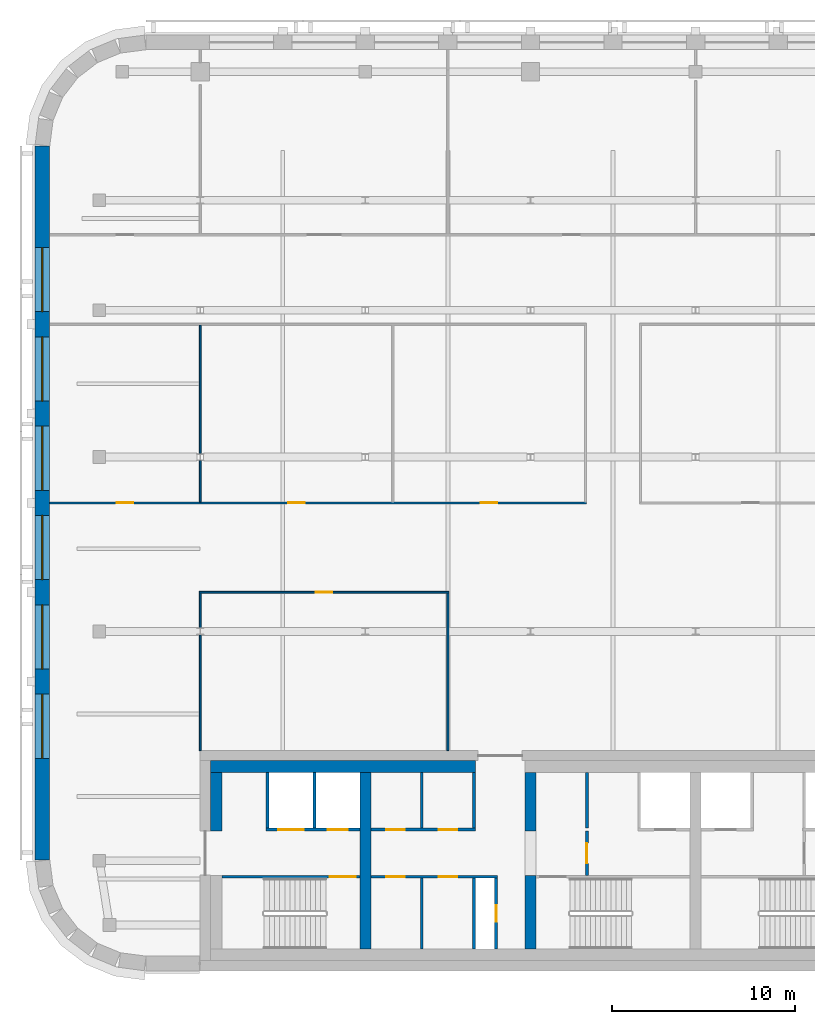
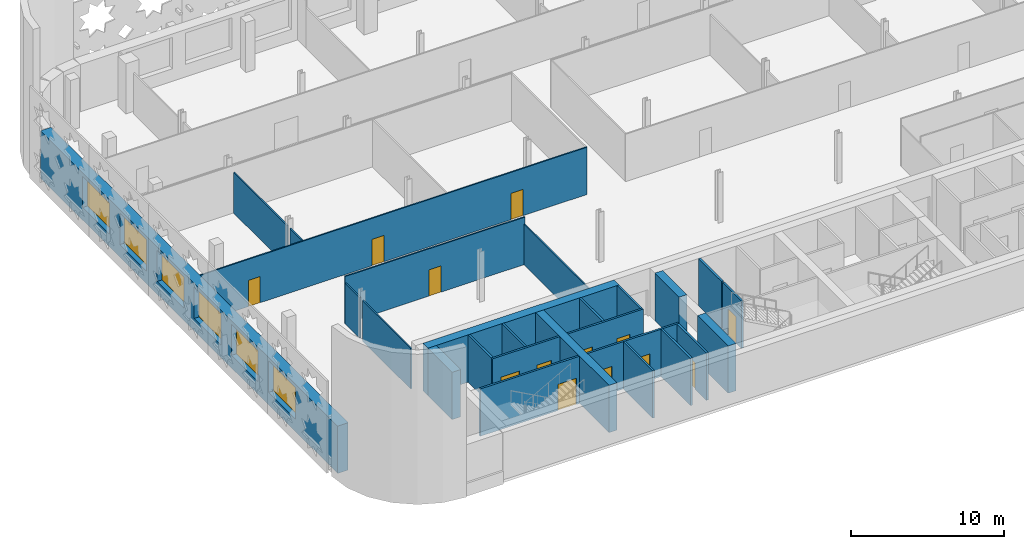
# One storey, part 6 of 16: 26 walls, 13 doors, 6 windows, 19 openings.
"""IFC4 building model written with IfcOpenShell, lengths in metres."""

from ifc_helpers import new_model, si_unit, direction, frame, frame_2d, origin, place, context, subcontext, project, spatial, rectangle, extrude, material, layer, layer_set, type_object, element, fill, save


model = new_model("IFC4")

# Units and contexts
model_context = context("Model", 3, precision=1e-05, world=origin(), true_north=direction((0.0, 1.0)))
body_context = subcontext(model_context, "Body", "Model", "MODEL_VIEW")
ifc_project = project(units=[si_unit("LENGTHUNIT", "METRE"), si_unit("AREAUNIT", "SQUARE_METRE"), si_unit("VOLUMEUNIT", "CUBIC_METRE"), si_unit("PLANEANGLEUNIT", "RADIAN"), si_unit("MASSUNIT", "GRAM", prefix="KILO")], contexts=[model_context])

# Site, building, storey
site_placement = place(None, origin())
site = spatial("IfcSite", under=ifc_project, at=site_placement, CompositionType="ELEMENT")
building_placement = place(site_placement, origin())
building = spatial("IfcBuilding", under=site, at=building_placement, Name="Zellij Exchange Tower", CompositionType="ELEMENT")
storey_placement = place(building_placement, frame((0.0, 0.0, 272.5)))
storey = spatial("IfcBuildingStorey", under=building, at=storey_placement, Name="L64", CompositionType="ELEMENT", Elevation=272.5)

# Walls
ifc_material_1 = material(Name="Concrete C50/60", Category="concrete")
ifc_layer_1 = layer(ifc_material_1, 0.60009765625)
ifc_layer_set_1 = layer_set([ifc_layer_1], Name="Concrete C50/60")
wall_type_1 = type_object("IfcWallType", Name="CORE-CW 600 C50/60", PredefinedType="SHEAR", material=ifc_layer_set_1)
wall_1_placement = place(storey_placement, frame((-18.0, -12.800048828125, 0.0), z_axis=(0.0, 0.0, 1.0), x_axis=(0.0, 1.0, 0.0)))
element("IfcWall", 1, at=wall_1_placement, inside=storey, type_object=wall_type_1, Name="Core cross wall x -18 L64", PredefinedType="SHEAR", context=body_context, shape_type="SweptSolid", body=[
    extrude(rectangle(XDim=9.60009765625, YDim=0.60009765625, at=frame_2d((4.800048828125, 0.0))), origin(), (0.0, 0.0, 1.0), 3.780029296875),
])
wall_2_placement = place(storey_placement, frame((-9.0, -12.800048828125, 0.0), z_axis=(0.0, 0.0, 1.0), x_axis=(0.0, 1.0, 0.0)))
element("IfcWall", 2, at=wall_2_placement, inside=storey, type_object=wall_type_1, Name="Core cross wall pier x -9 a L64", PredefinedType="SHEAR", context=body_context, shape_type="SweptSolid", body=[
    extrude(rectangle(XDim=4.0, YDim=0.60009765625, at=frame_2d((2.0, 0.0))), origin(), (0.0, 0.0, 1.0), 3.780029296875),
])
wall_3_placement = place(storey_placement, frame((-9.0, -6.375, 0.0), z_axis=(0.0, 0.0, 1.0), x_axis=(0.0, 1.0, 0.0)))
element("IfcWall", 3, at=wall_3_placement, inside=storey, type_object=wall_type_1, Name="Core cross wall pier x -9 b L64", PredefinedType="SHEAR", context=body_context, shape_type="SweptSolid", body=[
    extrude(rectangle(XDim=3.175048828125, YDim=0.60009765625, at=frame_2d((1.58740234375, 0.0))), origin(), (0.0, 0.0, 1.0), 3.780029296875),
])
ifc_material_2 = material(Name="Concrete C30/37", Category="concrete")
ifc_layer_2 = layer(ifc_material_2, 0.64990234375)
ifc_layer_set_2 = layer_set([ifc_layer_2], Name="Concrete C30/37")
wall_type_2 = type_object("IfcWallType", Name="CORE-LW 650 C30/37", PredefinedType="SHEAR", material=ifc_layer_set_2)
wall_4_placement = place(storey_placement, frame((-26.449951171875, -2.875, 0.0), z_axis=(0.0, 0.0, 1.0), x_axis=(1.0, 0.0, 0.0)))
element("IfcWall", 4, at=wall_4_placement, inside=storey, type_object=wall_type_2, Name="Core wall lining front.0 L64", PredefinedType="SHEAR", context=body_context, shape_type="SweptSolid", body=[
    extrude(rectangle(XDim=14.449951171875, YDim=0.64990234375, at=frame_2d((7.22509765625, 0.0))), origin(), (0.0, 0.0, 1.0), 3.780029296875),
])
wall_5_placement = place(storey_placement, frame((-26.125, -6.375, 0.0), z_axis=(0.0, 0.0, 1.0), x_axis=(0.0, 1.0, 0.0)))
element("IfcWall", 5, at=wall_5_placement, inside=storey, type_object=wall_type_2, Name="Core wall lining end w.1 L64", PredefinedType="SHEAR", context=body_context, shape_type="SweptSolid", body=[
    extrude(rectangle(XDim=3.175048828125, YDim=0.64990234375, at=frame_2d((1.58740234375, 0.0))), origin(), (0.0, 0.0, 1.0), 3.780029296875),
])

# Wall, opening, door
ifc_material_3 = material(Name="Gypsum shaft wall system")
ifc_layer_3 = layer(ifc_material_3, 0.14990234375)
ifc_layer_set_3 = layer_set([ifc_layer_3], Name="Gypsum shaft wall system")
wall_type_3 = type_object("IfcWallType", Name="CORE-PW 150 Firefighting lobby wall", PredefinedType="PARTITIONING", material=ifc_layer_set_3)
wall_6_placement = place(storey_placement, frame((-5.925048828125, -8.800048828125, 0.0), z_axis=(0.0, 0.0, 1.0), x_axis=(0.0, 1.0, 0.0)))
wall_6 = element("IfcWall", 6, at=wall_6_placement, inside=storey, type_object=wall_type_3, Name="Firefighting lobby wall L64", PredefinedType="PARTITIONING", context=body_context, shape_type="SweptSolid", body=[
    extrude(rectangle(XDim=2.425048828125, YDim=0.14990234375, at=frame_2d((1.21240234375, 0.0))), origin(), (0.0, 0.0, 1.0), 3.780029296875),
])
opening_1_placement = place(wall_6_placement, frame((0.662109375, 0.0, 0.0)))
opening_1 = element("IfcOpeningElement", 7, at=opening_1_placement, cuts=wall_6, Name="Opening CA-34.12", PredefinedType="OPENING", context=body_context, shape_type="SweptSolid", body=[
    extrude(rectangle(XDim=1.10009765625, YDim=2.10009765625, at=frame_2d((0.550048828125, 1.050048828125))), frame((0.0, 0.0869140625, 0.0), z_axis=(0.0, -1.0, 0.0), x_axis=(1.0, 0.0, 0.0)), (0.0, 0.0, 1.0), 0.173828125),
])
ifc_material_4 = material(Name="Hollow metal fire door")
door_type_1 = type_object("IfcDoorType", Name="CORE-D F Firefighting lobby door 1100x2100 1 HR", OperationType="NOTDEFINED", PredefinedType="DOOR", material=ifc_material_4)
door_1_placement = place(opening_1_placement, origin())
door_1 = element("IfcDoor", 8, at=door_1_placement, inside=storey, type_object=door_type_1, Name="Firefighting lobby door CA-34.12", OperationType="SINGLE_SWING_LEFT", OverallHeight=2.10009765625, OverallWidth=1.10009765625, PredefinedType="DOOR", context=body_context, shape_type="SweptSolid", body=[
    extrude(rectangle(XDim=1.10009765625, YDim=2.10009765625, at=frame_2d((0.550048828125, 1.050048828125))), frame((0.0, 0.02490234375, 0.0), z_axis=(0.0, -1.0, 0.0), x_axis=(1.0, 0.0, 0.0)), (0.0, 0.0, 1.0), 0.050048828125),
])
fill(opening_1, door_1)

# Walls
ifc_material_5 = material(Name="Gypsum board partition")
ifc_layer_4 = layer(ifc_material_5, 0.14990234375)
ifc_layer_set_4 = layer_set([ifc_layer_4], Name="Gypsum board partition")
wall_type_4 = type_object("IfcWallType", Name="CORE-PW 150 Lift lobby wall", PredefinedType="PARTITIONING", material=ifc_layer_set_4)
for number, where, z_axis, x_axis, name in (
    (9, (-12.074951171875, -6.22509765625, 0.0), (0.0, 0.0, 1.0), (0.0, 1.0, 0.0), "Lift lobby wall L64"),
    (10, (-14.925048828125, -6.22509765625, 0.0), (0.0, 0.0, 1.0), (0.0, 1.0, 0.0), "Lift lobby wall L64"),
    (11, (-5.925048828125, -6.22509765625, 0.0), (0.0, 0.0, 1.0), (0.0, 1.0, 0.0), "Lift lobby wall L64"),
):
    element("IfcWall", number, at=place(storey_placement, frame(where, z_axis=z_axis, x_axis=x_axis)), inside=storey, type_object=wall_type_4, Name=name, PredefinedType="PARTITIONING", context=body_context, shape_type="SweptSolid", body=[
        extrude(rectangle(XDim=3.025146484375, YDim=0.14990234375, at=frame_2d((1.5126953125, 0.0))), origin(), (0.0, 0.0, 1.0), 3.780029296875),
    ])

# Wall, opening, door
wall_7_placement = place(storey_placement, frame((-10.875, -12.800048828125, 0.0), z_axis=(0.0, 0.0, 1.0), x_axis=(0.0, 1.0, 0.0)))
wall_7 = element("IfcWall", 12, at=wall_7_placement, inside=storey, type_object=wall_type_4, Name="Lift lobby wall L64", PredefinedType="PARTITIONING", context=body_context, shape_type="SweptSolid", body=[
    extrude(rectangle(XDim=3.85009765625, YDim=0.14990234375, at=frame_2d((1.925048828125, 0.0))), origin(), (0.0, 0.0, 1.0), 3.780029296875),
])
opening_2_placement = place(wall_7_placement, frame((1.47509765625, 0.0, 0.0)))
opening_2 = element("IfcOpeningElement", 13, at=opening_2_placement, cuts=wall_7, Name="Opening CA-34.09", PredefinedType="OPENING", context=body_context, shape_type="SweptSolid", body=[
    extrude(rectangle(XDim=0.89990234375, YDim=2.10009765625, at=frame_2d((0.449951171875, 1.050048828125))), frame((0.0, 0.0869140625, 0.0), z_axis=(0.0, -1.0, 0.0), x_axis=(1.0, 0.0, 0.0)), (0.0, 0.0, 1.0), 0.173828125),
])
door_type_2 = type_object("IfcDoorType", Name="CORE-D RD Riser door 900x2100 1.5 HR", OperationType="NOTDEFINED", PredefinedType="DOOR", material=ifc_material_4)
door_2_placement = place(opening_2_placement, origin())
door_2 = element("IfcDoor", 14, at=door_2_placement, inside=storey, type_object=door_type_2, Name="Riser door CA-34.09", OperationType="SINGLE_SWING_RIGHT", OverallHeight=2.10009765625, OverallWidth=0.89990234375, PredefinedType="DOOR", context=body_context, shape_type="SweptSolid", body=[
    extrude(rectangle(XDim=0.89990234375, YDim=2.10009765625, at=frame_2d((0.449951171875, 1.050048828125))), frame((0.0, 0.02490234375, 0.0), z_axis=(0.0, -1.0, 0.0), x_axis=(1.0, 0.0, 0.0)), (0.0, 0.0, 1.0), 0.050048828125),
])
fill(opening_2, door_2)

# Walls
for number, where, z_axis, x_axis, name in (
    (15, (-12.074951171875, -12.800048828125, 0.0), (0.0, 0.0, 1.0), (0.0, 1.0, 0.0), "Lift lobby wall L64"),
    (16, (-14.925048828125, -12.800048828125, 0.0), (0.0, 0.0, 1.0), (0.0, 1.0, 0.0), "Lift lobby wall L64"),
):
    element("IfcWall", number, at=place(storey_placement, frame(where, z_axis=z_axis, x_axis=x_axis)), inside=storey, type_object=wall_type_4, Name=name, PredefinedType="PARTITIONING", context=body_context, shape_type="SweptSolid", body=[
        extrude(rectangle(XDim=3.85009765625, YDim=0.14990234375, at=frame_2d((1.925048828125, 0.0))), origin(), (0.0, 0.0, 1.0), 3.780029296875),
    ])

# Wall, openings, doors
wall_8_placement = place(storey_placement, frame((-17.699951171875, -6.300048828125, 0.0), z_axis=(0.0, 0.0, 1.0), x_axis=(1.0, 0.0, 0.0)))
wall_8 = element("IfcWall", 17, at=wall_8_placement, inside=storey, type_object=wall_type_4, Name="Lift lobby wall L64", PredefinedType="PARTITIONING", context=body_context, shape_type="SweptSolid", body=[
    extrude(rectangle(XDim=5.699951171875, YDim=0.14990234375, at=frame_2d((2.85009765625, 0.0))), origin(), (0.0, 0.0, 1.0), 3.780029296875),
])
opening_3_placement = place(wall_8_placement, frame((0.85009765625, 0.0, 0.0)))
opening_3 = element("IfcOpeningElement", 18, at=opening_3_placement, cuts=wall_8, Name="Opening CA-34.06", PredefinedType="OPENING", context=body_context, shape_type="SweptSolid", body=[
    extrude(rectangle(XDim=1.0, YDim=2.10009765625, at=frame_2d((0.5, 1.050048828125))), frame((0.0, 0.0869140625, 0.0), z_axis=(0.0, -1.0, 0.0), x_axis=(1.0, 0.0, 0.0)), (0.0, 0.0, 1.0), 0.173828125),
])
opening_4_placement = place(wall_8_placement, frame((3.699951171875, 0.0, 0.0)))
opening_4 = element("IfcOpeningElement", 19, at=opening_4_placement, cuts=wall_8, Name="Opening CA-34.08", PredefinedType="OPENING", context=body_context, shape_type="SweptSolid", body=[
    extrude(rectangle(XDim=1.0, YDim=2.10009765625, at=frame_2d((0.5, 1.050048828125))), frame((0.0, 0.0869140625, 0.0), z_axis=(0.0, -1.0, 0.0), x_axis=(1.0, 0.0, 0.0)), (0.0, 0.0, 1.0), 0.173828125),
])
door_type_3 = type_object("IfcDoorType", Name="CORE-D CD Core room door 1000x2100 1 HR", OperationType="NOTDEFINED", PredefinedType="DOOR", material=ifc_material_4)
door_3_placement = place(opening_3_placement, origin())
door_3 = element("IfcDoor", 20, at=door_3_placement, inside=storey, type_object=door_type_3, Name="Core room door CA-34.06", OperationType="SINGLE_SWING_LEFT", OverallHeight=2.10009765625, OverallWidth=1.0, PredefinedType="DOOR", context=body_context, shape_type="SweptSolid", body=[
    extrude(rectangle(XDim=1.0, YDim=2.10009765625, at=frame_2d((0.5, 1.050048828125))), frame((0.0, 0.02490234375, 0.0), z_axis=(0.0, -1.0, 0.0), x_axis=(1.0, 0.0, 0.0)), (0.0, 0.0, 1.0), 0.050048828125),
])
fill(opening_3, door_3)
door_4_placement = place(opening_4_placement, origin())
door_4 = element("IfcDoor", 21, at=door_4_placement, inside=storey, type_object=door_type_3, Name="Core room door CA-34.08", OperationType="SINGLE_SWING_RIGHT", OverallHeight=2.10009765625, OverallWidth=1.0, PredefinedType="DOOR", context=body_context, shape_type="SweptSolid", body=[
    extrude(rectangle(XDim=1.0, YDim=2.10009765625, at=frame_2d((0.5, 1.050048828125))), frame((0.0, 0.02490234375, 0.0), z_axis=(0.0, -1.0, 0.0), x_axis=(1.0, 0.0, 0.0)), (0.0, 0.0, 1.0), 0.050048828125),
])
fill(opening_4, door_4)

wall_9_placement = place(storey_placement, frame((-17.699951171875, -8.875, 0.0), z_axis=(0.0, 0.0, 1.0), x_axis=(1.0, 0.0, 0.0)))
wall_9 = element("IfcWall", 22, at=wall_9_placement, inside=storey, type_object=wall_type_4, Name="Lift lobby wall L64", PredefinedType="PARTITIONING", context=body_context, shape_type="SweptSolid", body=[
    extrude(rectangle(XDim=6.89990234375, YDim=0.14990234375, at=frame_2d((3.449951171875, 0.0))), origin(), (0.0, 0.0, 1.0), 3.780029296875),
])
opening_5_placement = place(wall_9_placement, frame((0.85009765625, 0.0, 0.0)))
opening_5 = element("IfcOpeningElement", 23, at=opening_5_placement, cuts=wall_9, Name="Opening CA-34.05", PredefinedType="OPENING", context=body_context, shape_type="SweptSolid", body=[
    extrude(rectangle(XDim=1.0, YDim=2.10009765625, at=frame_2d((0.5, 1.050048828125))), frame((0.0, 0.0869140625, 0.0), z_axis=(0.0, -1.0, 0.0), x_axis=(1.0, 0.0, 0.0)), (0.0, 0.0, 1.0), 0.173828125),
])
opening_6_placement = place(wall_9_placement, frame((3.699951171875, 0.0, 0.0)))
opening_6 = element("IfcOpeningElement", 24, at=opening_6_placement, cuts=wall_9, Name="Opening CA-34.07", PredefinedType="OPENING", context=body_context, shape_type="SweptSolid", body=[
    extrude(rectangle(XDim=1.0, YDim=2.10009765625, at=frame_2d((0.5, 1.050048828125))), frame((0.0, 0.0869140625, 0.0), z_axis=(0.0, -1.0, 0.0), x_axis=(1.0, 0.0, 0.0)), (0.0, 0.0, 1.0), 0.173828125),
])
door_5_placement = place(opening_5_placement, origin())
door_5 = element("IfcDoor", 25, at=door_5_placement, inside=storey, type_object=door_type_3, Name="Core room door CA-34.05", OperationType="SINGLE_SWING_RIGHT", OverallHeight=2.10009765625, OverallWidth=1.0, PredefinedType="DOOR", context=body_context, shape_type="SweptSolid", body=[
    extrude(rectangle(XDim=1.0, YDim=2.10009765625, at=frame_2d((0.5, 1.050048828125))), frame((0.0, 0.02490234375, 0.0), z_axis=(0.0, -1.0, 0.0), x_axis=(1.0, 0.0, 0.0)), (0.0, 0.0, 1.0), 0.050048828125),
])
fill(opening_5, door_5)
door_6_placement = place(opening_6_placement, origin())
door_6 = element("IfcDoor", 26, at=door_6_placement, inside=storey, type_object=door_type_3, Name="Core room door CA-34.07", OperationType="SINGLE_SWING_LEFT", OverallHeight=2.10009765625, OverallWidth=1.0, PredefinedType="DOOR", context=body_context, shape_type="SweptSolid", body=[
    extrude(rectangle(XDim=1.0, YDim=2.10009765625, at=frame_2d((0.5, 1.050048828125))), frame((0.0, 0.02490234375, 0.0), z_axis=(0.0, -1.0, 0.0), x_axis=(1.0, 0.0, 0.0)), (0.0, 0.0, 1.0), 0.050048828125),
])
fill(opening_6, door_6)

# Walls
ifc_layer_5 = layer(ifc_material_3, 0.14990234375)
ifc_layer_set_5 = layer_set([ifc_layer_5], Name="Gypsum shaft wall system")
wall_type_5 = type_object("IfcWallType", Name="CORE-PW 150 Lift shaft wall", PredefinedType="PARTITIONING", material=ifc_layer_set_5)
for number, where, z_axis, x_axis, name in (
    (27, (-20.77490234375, -6.22509765625, 0.0), (0.0, 0.0, 1.0), (0.0, 1.0, 0.0), "Lift shaft wall L64"),
    (28, (-23.324951171875, -6.22509765625, 0.0), (0.0, 0.0, 1.0), (0.0, 1.0, 0.0), "Lift shaft wall L64"),
):
    element("IfcWall", number, at=place(storey_placement, frame(where, z_axis=z_axis, x_axis=x_axis)), inside=storey, type_object=wall_type_5, Name=name, PredefinedType="PARTITIONING", context=body_context, shape_type="SweptSolid", body=[
        extrude(rectangle(XDim=3.025146484375, YDim=0.14990234375, at=frame_2d((1.5126953125, 0.0))), origin(), (0.0, 0.0, 1.0), 3.780029296875),
    ])

# Wall, openings, doors
wall_10_placement = place(storey_placement, frame((-23.39990234375, -6.300048828125, 0.0), z_axis=(0.0, 0.0, 1.0), x_axis=(1.0, 0.0, 0.0)))
wall_10 = element("IfcWall", 29, at=wall_10_placement, inside=storey, type_object=wall_type_5, Name="Lift shaft wall L64", PredefinedType="PARTITIONING", context=body_context, shape_type="SweptSolid", body=[
    extrude(rectangle(XDim=5.099853515625, YDim=0.14990234375, at=frame_2d((2.5498046875, 0.0))), origin(), (0.0, 0.0, 1.0), 3.780029296875),
])
opening_7_placement = place(wall_10_placement, frame((0.64990234375, 0.0, 0.0)))
opening_7 = element("IfcOpeningElement", 30, at=opening_7_placement, cuts=wall_10, Name="Opening CA-34.02", PredefinedType="OPENING", context=body_context, shape_type="SweptSolid", body=[
    extrude(rectangle(XDim=1.39990234375, YDim=2.10009765625, at=frame_2d((0.699951171875, 1.050048828125))), frame((0.0, 0.0869140625, 0.0), z_axis=(0.0, -1.0, 0.0), x_axis=(1.0, 0.0, 0.0)), (0.0, 0.0, 1.0), 0.173828125),
])
opening_8_placement = place(wall_10_placement, frame((3.35009765625, 0.0, 0.0)))
opening_8 = element("IfcOpeningElement", 31, at=opening_8_placement, cuts=wall_10, Name="Opening CA-34.03", PredefinedType="OPENING", context=body_context, shape_type="SweptSolid", body=[
    extrude(rectangle(XDim=1.10009765625, YDim=2.10009765625, at=frame_2d((0.550048828125, 1.050048828125))), frame((0.0, 0.0869140625, 0.0), z_axis=(0.0, -1.0, 0.0), x_axis=(1.0, 0.0, 0.0)), (0.0, 0.0, 1.0), 0.173828125),
])
door_type_4 = type_object("IfcDoorType", Name="CORE-D LD Lift landing door 1100x2100 1.5 HR", OperationType="NOTDEFINED", PredefinedType="DOOR", material=ifc_material_4)
door_7_placement = place(opening_8_placement, origin())
door_7 = element("IfcDoor", 32, at=door_7_placement, inside=storey, type_object=door_type_4, Name="Lift landing door CA-34.03", OperationType="SLIDING_TO_LEFT", OverallHeight=2.10009765625, OverallWidth=1.10009765625, PredefinedType="DOOR", context=body_context, shape_type="SweptSolid", body=[
    extrude(rectangle(XDim=1.10009765625, YDim=2.10009765625, at=frame_2d((0.550048828125, 1.050048828125))), frame((0.0, 0.02490234375, 0.0), z_axis=(0.0, -1.0, 0.0), x_axis=(1.0, 0.0, 0.0)), (0.0, 0.0, 1.0), 0.050048828125),
])
fill(opening_8, door_7)
door_type_5 = type_object("IfcDoorType", Name="CORE-D LD2 Service lift landing door 1400x2100 1.5 HR", OperationType="NOTDEFINED", PredefinedType="DOOR", material=ifc_material_4)
door_8_placement = place(opening_7_placement, origin())
door_8 = element("IfcDoor", 33, at=door_8_placement, inside=storey, type_object=door_type_5, Name="Service lift landing door CA-34.02", OperationType="SLIDING_TO_RIGHT", OverallHeight=2.10009765625, OverallWidth=1.39990234375, PredefinedType="DOOR", context=body_context, shape_type="SweptSolid", body=[
    extrude(rectangle(XDim=1.39990234375, YDim=2.10009765625, at=frame_2d((0.699951171875, 1.050048828125))), frame((0.0, 0.02490234375, 0.0), z_axis=(0.0, -1.0, 0.0), x_axis=(1.0, 0.0, 0.0)), (0.0, 0.0, 1.0), 0.050048828125),
])
fill(opening_7, door_8)

# Wall, opening, door
ifc_layer_6 = layer(ifc_material_1, 0.14990234375)
ifc_layer_set_6 = layer_set([ifc_layer_6], Name="Concrete C50/60")
wall_type_6 = type_object("IfcWallType", Name="CORE-SWS 150 C50/60", PredefinedType="SHEAR", material=ifc_layer_set_6)
wall_11_placement = place(storey_placement, frame((-25.800048828125, -8.875, 0.0), z_axis=(0.0, 0.0, 1.0), x_axis=(1.0, 0.0, 0.0)))
wall_11 = element("IfcWall", 34, at=wall_11_placement, inside=storey, type_object=wall_type_6, Name="Stair enclosure wall L64", PredefinedType="SHEAR", context=body_context, shape_type="SweptSolid", body=[
    extrude(rectangle(XDim=7.5, YDim=0.14990234375, at=frame_2d((3.75, 0.0))), origin(), (0.0, 0.0, 1.0), 3.780029296875),
])
opening_9_placement = place(wall_11_placement, frame((5.875, 0.0, 0.0)))
opening_9 = element("IfcOpeningElement", 35, at=opening_9_placement, cuts=wall_11, Name="Opening CA-34.04", PredefinedType="OPENING", context=body_context, shape_type="SweptSolid", body=[
    extrude(rectangle(XDim=1.39990234375, YDim=2.10009765625, at=frame_2d((0.699951171875, 1.050048828125))), frame((0.0, 0.0869140625, 0.0), z_axis=(0.0, -1.0, 0.0), x_axis=(1.0, 0.0, 0.0)), (0.0, 0.0, 1.0), 0.173828125),
])
door_type_6 = type_object("IfcDoorType", Name="CORE-D SD Stair door 1400x2100 1.5 HR", OperationType="NOTDEFINED", PredefinedType="DOOR", material=ifc_material_4)
door_9_placement = place(opening_9_placement, origin())
door_9 = element("IfcDoor", 36, at=door_9_placement, inside=storey, type_object=door_type_6, Name="Stair door CA-34.04", OperationType="DOUBLE_DOOR_SINGLE_SWING", OverallHeight=2.10009765625, OverallWidth=1.39990234375, PredefinedType="DOOR", context=body_context, shape_type="SweptSolid", body=[
    extrude(rectangle(XDim=1.39990234375, YDim=2.10009765625, at=frame_2d((0.699951171875, 1.050048828125))), frame((0.0, 0.02490234375, 0.0), z_axis=(0.0, -1.0, 0.0), x_axis=(1.0, 0.0, 0.0)), (0.0, 0.0, 1.0), 0.050048828125),
])
fill(opening_9, door_9)

# Wall, openings, windows
ifc_material_6 = material(Name="Precast concrete C40/50", Category="concrete")
ifc_layer_7 = layer(ifc_material_6, 0.800048828125)
ifc_layer_set_7 = layer_set([ifc_layer_7], Name="Precast concrete C40/50")
wall_type_7 = type_object("IfcWallType", Name="ENV-EW1 Precast stone-piered wall 800", PredefinedType="SOLIDWALL", material=ifc_layer_set_7)
wall_12_placement = place(storey_placement, frame((-35.60009765625, 30.947509765625, 0.0), z_axis=(0.0, 0.0, 1.0), x_axis=(0.0, -1.0, 0.0)))
wall_12 = element("IfcWall", 37, at=wall_12_placement, inside=storey, type_object=wall_type_7, Name="fac.L64.21", PredefinedType="SOLIDWALL", context=body_context, shape_type="SweptSolid", body=[
    extrude(rectangle(XDim=38.89501953125, YDim=0.800048828125, at=frame_2d((19.447509765625, 0.0))), origin(), (0.0, 0.0, 1.0), 3.780029296875),
])
opening_10_placement = place(wall_12_placement, frame((5.5263671875, 0.0, 1.0)))
opening_10 = element("IfcOpeningElement", 38, at=opening_10_placement, cuts=wall_12, Name="Opening FC1.19", PredefinedType="OPENING", context=body_context, shape_type="SweptSolid", body=[
    extrude(rectangle(XDim=3.5, YDim=2.5, at=frame_2d((1.75, 1.25))), frame((0.0, 0.412109375, 0.0), z_axis=(0.0, -1.0, 0.0), x_axis=(1.0, 0.0, 0.0)), (0.0, 0.0, 1.0), 0.823974609375),
])
opening_11_placement = place(wall_12_placement, frame((10.39501953125, 0.0, 1.0)))
opening_11 = element("IfcOpeningElement", 39, at=opening_11_placement, cuts=wall_12, Name="Opening FC1.20", PredefinedType="OPENING", context=body_context, shape_type="SweptSolid", body=[
    extrude(rectangle(XDim=3.5, YDim=2.5, at=frame_2d((1.75, 1.25))), frame((0.0, 0.412109375, 0.0), z_axis=(0.0, -1.0, 0.0), x_axis=(1.0, 0.0, 0.0)), (0.0, 0.0, 1.0), 0.823974609375),
])
opening_12_placement = place(wall_12_placement, frame((15.26318359375, 0.0, 1.0)))
opening_12 = element("IfcOpeningElement", 40, at=opening_12_placement, cuts=wall_12, Name="Opening FC1.21", PredefinedType="OPENING", context=body_context, shape_type="SweptSolid", body=[
    extrude(rectangle(XDim=3.5, YDim=2.5, at=frame_2d((1.75, 1.25))), frame((0.0, 0.412109375, 0.0), z_axis=(0.0, -1.0, 0.0), x_axis=(1.0, 0.0, 0.0)), (0.0, 0.0, 1.0), 0.823974609375),
])
opening_13_placement = place(wall_12_placement, frame((20.1318359375, 0.0, 1.0)))
opening_13 = element("IfcOpeningElement", 41, at=opening_13_placement, cuts=wall_12, Name="Opening FC1.22", PredefinedType="OPENING", context=body_context, shape_type="SweptSolid", body=[
    extrude(rectangle(XDim=3.5, YDim=2.5, at=frame_2d((1.75, 1.25))), frame((0.0, 0.412109375, 0.0), z_axis=(0.0, -1.0, 0.0), x_axis=(1.0, 0.0, 0.0)), (0.0, 0.0, 1.0), 0.823974609375),
])
opening_14_placement = place(wall_12_placement, frame((25.000244140625, 0.0, 1.0)))
opening_14 = element("IfcOpeningElement", 42, at=opening_14_placement, cuts=wall_12, Name="Opening FC1.23", PredefinedType="OPENING", context=body_context, shape_type="SweptSolid", body=[
    extrude(rectangle(XDim=3.5, YDim=2.5, at=frame_2d((1.75, 1.25))), frame((0.0, 0.412109375, 0.0), z_axis=(0.0, -1.0, 0.0), x_axis=(1.0, 0.0, 0.0)), (0.0, 0.0, 1.0), 0.823974609375),
])
opening_15_placement = place(wall_12_placement, frame((29.86865234375, 0.0, 1.0)))
opening_15 = element("IfcOpeningElement", 43, at=opening_15_placement, cuts=wall_12, Name="Opening FC1.24", PredefinedType="OPENING", context=body_context, shape_type="SweptSolid", body=[
    extrude(rectangle(XDim=3.5, YDim=2.5, at=frame_2d((1.75, 1.25))), frame((0.0, 0.412109375, 0.0), z_axis=(0.0, -1.0, 0.0), x_axis=(1.0, 0.0, 0.0)), (0.0, 0.0, 1.0), 0.823974609375),
])
ifc_material_7 = material(Name="Aluminium frame with insulating glass", Category="aluminium")
window_type = type_object("IfcWindowType", Name="ENV-W1 Window 3500x2500", PartitioningType="SINGLE_PANEL", PredefinedType="WINDOW", material=ifc_material_7)
window_1_placement = place(opening_10_placement, origin())
window_1 = element("IfcWindow", 44, at=window_1_placement, inside=storey, type_object=window_type, Name="Window FC1.19", OverallHeight=2.5, OverallWidth=3.5, PartitioningType="SINGLE_PANEL", PredefinedType="WINDOW", context=body_context, shape_type="SweptSolid", body=[
    extrude(rectangle(XDim=3.5, YDim=2.5, at=frame_2d((1.75, 1.25))), frame((0.0, 0.030029296875, 0.0), z_axis=(0.0, -1.0, 0.0), x_axis=(1.0, 0.0, 0.0)), (0.0, 0.0, 1.0), 0.06005859375),
])
fill(opening_10, window_1)
window_2_placement = place(opening_11_placement, origin())
window_2 = element("IfcWindow", 45, at=window_2_placement, inside=storey, type_object=window_type, Name="Window FC1.20", OverallHeight=2.5, OverallWidth=3.5, PartitioningType="SINGLE_PANEL", PredefinedType="WINDOW", context=body_context, shape_type="SweptSolid", body=[
    extrude(rectangle(XDim=3.5, YDim=2.5, at=frame_2d((1.75, 1.25))), frame((0.0, 0.030029296875, 0.0), z_axis=(0.0, -1.0, 0.0), x_axis=(1.0, 0.0, 0.0)), (0.0, 0.0, 1.0), 0.06005859375),
])
fill(opening_11, window_2)
window_3_placement = place(opening_12_placement, origin())
window_3 = element("IfcWindow", 46, at=window_3_placement, inside=storey, type_object=window_type, Name="Window FC1.21", OverallHeight=2.5, OverallWidth=3.5, PartitioningType="SINGLE_PANEL", PredefinedType="WINDOW", context=body_context, shape_type="SweptSolid", body=[
    extrude(rectangle(XDim=3.5, YDim=2.5, at=frame_2d((1.75, 1.25))), frame((0.0, 0.030029296875, 0.0), z_axis=(0.0, -1.0, 0.0), x_axis=(1.0, 0.0, 0.0)), (0.0, 0.0, 1.0), 0.06005859375),
])
fill(opening_12, window_3)
window_4_placement = place(opening_13_placement, origin())
window_4 = element("IfcWindow", 47, at=window_4_placement, inside=storey, type_object=window_type, Name="Window FC1.22", OverallHeight=2.5, OverallWidth=3.5, PartitioningType="SINGLE_PANEL", PredefinedType="WINDOW", context=body_context, shape_type="SweptSolid", body=[
    extrude(rectangle(XDim=3.5, YDim=2.5, at=frame_2d((1.75, 1.25))), frame((0.0, 0.030029296875, 0.0), z_axis=(0.0, -1.0, 0.0), x_axis=(1.0, 0.0, 0.0)), (0.0, 0.0, 1.0), 0.06005859375),
])
fill(opening_13, window_4)
window_5_placement = place(opening_14_placement, origin())
window_5 = element("IfcWindow", 48, at=window_5_placement, inside=storey, type_object=window_type, Name="Window FC1.23", OverallHeight=2.5, OverallWidth=3.5, PartitioningType="SINGLE_PANEL", PredefinedType="WINDOW", context=body_context, shape_type="SweptSolid", body=[
    extrude(rectangle(XDim=3.5, YDim=2.5, at=frame_2d((1.75, 1.25))), frame((0.0, 0.030029296875, 0.0), z_axis=(0.0, -1.0, 0.0), x_axis=(1.0, 0.0, 0.0)), (0.0, 0.0, 1.0), 0.06005859375),
])
fill(opening_14, window_5)
window_6_placement = place(opening_15_placement, origin())
window_6 = element("IfcWindow", 49, at=window_6_placement, inside=storey, type_object=window_type, Name="Window FC1.24", OverallHeight=2.5, OverallWidth=3.5, PartitioningType="SINGLE_PANEL", PredefinedType="WINDOW", context=body_context, shape_type="SweptSolid", body=[
    extrude(rectangle(XDim=3.5, YDim=2.5, at=frame_2d((1.75, 1.25))), frame((0.0, 0.030029296875, 0.0), z_axis=(0.0, -1.0, 0.0), x_axis=(1.0, 0.0, 0.0)), (0.0, 0.0, 1.0), 0.06005859375),
])
fill(opening_15, window_6)

# Walls
ifc_material_8 = material(Name="Gypsum board partition on steel studs", Category="steel")
ifc_layer_8 = layer(ifc_material_8, 0.10009765625)
ifc_layer_set_8 = layer_set([ifc_layer_8], Name="Gypsum board partition on steel studs")
wall_type_8 = type_object("IfcWallType", Name="FIT-PARTITION-100", PredefinedType="PARTITIONING", material=ifc_layer_set_8)
wall_13_placement = place(storey_placement, frame((-27.0, -2.0, 0.0), z_axis=(0.0, 0.0, 1.0), x_axis=(0.0, 1.0, 0.0)))
element("IfcWall", 50, at=wall_13_placement, inside=storey, type_object=wall_type_8, Name="FIT-PARTITION-100 001", PredefinedType="PARTITIONING", context=body_context, shape_type="SweptSolid", body=[
    extrude(rectangle(XDim=6.313232421875, YDim=0.10009765625, at=frame_2d((3.15673828125, 0.0))), origin(), (0.0, 0.0, 1.0), 3.24658203125),
])
wall_14_placement = place(storey_placement, frame((-27.0, 4.686767578125, 0.0), z_axis=(0.0, 0.0, 1.0), x_axis=(0.0, 1.0, 0.0)))
element("IfcWall", 51, at=wall_14_placement, inside=storey, type_object=wall_type_8, Name="FIT-PARTITION-100 002", PredefinedType="PARTITIONING", context=body_context, shape_type="SweptSolid", body=[
    extrude(rectangle(XDim=1.893310546875, YDim=0.10009765625, at=frame_2d((0.94677734375, 0.0))), origin(), (0.0, 0.0, 1.0), 3.24658203125),
])
wall_15_placement = place(storey_placement, frame((-13.5, -2.0, 0.0), z_axis=(0.0, 0.0, 1.0), x_axis=(0.0, 1.0, 0.0)))
element("IfcWall", 52, at=wall_15_placement, inside=storey, type_object=wall_type_8, Name="FIT-PARTITION-100 003", PredefinedType="PARTITIONING", context=body_context, shape_type="SweptSolid", body=[
    extrude(rectangle(XDim=8.580078125, YDim=0.10009765625, at=frame_2d((4.2900390625, 0.0))), origin(), (0.0, 0.0, 1.0), 3.24658203125),
])

# Wall, opening, door
wall_16_placement = place(storey_placement, frame((-27.050048828125, 6.6298828125, 0.0), z_axis=(0.0, 0.0, 1.0), x_axis=(1.0, 0.0, 0.0)))
wall_16 = element("IfcWall", 53, at=wall_16_placement, inside=storey, type_object=wall_type_8, Name="FIT-PARTITION-100 011", PredefinedType="PARTITIONING", context=body_context, shape_type="SweptSolid", body=[
    extrude(rectangle(XDim=13.60009765625, YDim=0.10009765625, at=frame_2d((6.800048828125, 0.0))), origin(), (0.0, 0.0, 1.0), 3.780029296875),
])
opening_16_placement = place(wall_16_placement, frame((6.35009765625, 0.0, 0.0)))
opening_16 = element("IfcOpeningElement", 54, at=opening_16_placement, cuts=wall_16, Name="Opening EX1.05", PredefinedType="OPENING", context=body_context, shape_type="SweptSolid", body=[
    extrude(rectangle(XDim=0.89990234375, YDim=2.10009765625, at=frame_2d((0.449951171875, 1.050048828125))), frame((0.0, 0.06201171875, 0.0), z_axis=(0.0, -1.0, 0.0), x_axis=(1.0, 0.0, 0.0)), (0.0, 0.0, 1.0), 0.1240234375),
])
ifc_material_9 = material(Name="Timber door set", Category="wood")
door_type_7 = type_object("IfcDoorType", Name="FIT-D1-ROOM-900X2100", OperationType="SINGLE_SWING_LEFT", PredefinedType="DOOR", material=ifc_material_9)
door_10_placement = place(opening_16_placement, origin())
door_10 = element("IfcDoor", 55, at=door_10_placement, inside=storey, type_object=door_type_7, Name="Door EX1.05", OperationType="SINGLE_SWING_RIGHT", OverallHeight=2.10009765625, OverallWidth=0.89990234375, PredefinedType="DOOR", context=body_context, shape_type="SweptSolid", body=[
    extrude(rectangle(XDim=0.89990234375, YDim=2.10009765625, at=frame_2d((0.449951171875, 1.050048828125))), frame((0.0, 0.02490234375, 0.0), z_axis=(0.0, -1.0, 0.0), x_axis=(1.0, 0.0, 0.0)), (0.0, 0.0, 1.0), 0.050048828125),
])
fill(opening_16, door_10)

# Wall, openings, doors
wall_17_placement = place(storey_placement, frame((-35.199951171875, 11.5, 0.0), z_axis=(0.0, 0.0, 1.0), x_axis=(1.0, 0.0, 0.0)))
wall_17 = element("IfcWall", 56, at=wall_17_placement, inside=storey, type_object=wall_type_8, Name="FIT-PARTITION-100 012", PredefinedType="PARTITIONING", context=body_context, shape_type="SweptSolid", body=[
    extrude(rectangle(XDim=29.25, YDim=0.10009765625, at=frame_2d((14.625, 0.0))), origin(), (0.0, 0.0, 1.0), 3.780029296875),
])
opening_17_placement = place(wall_17_placement, frame((3.64990234375, 0.0, 0.0)))
opening_17 = element("IfcOpeningElement", 57, at=opening_17_placement, cuts=wall_17, Name="Opening EX1.06", PredefinedType="OPENING", context=body_context, shape_type="SweptSolid", body=[
    extrude(rectangle(XDim=0.89990234375, YDim=2.10009765625, at=frame_2d((0.449951171875, 1.050048828125))), frame((0.0, 0.06201171875, 0.0), z_axis=(0.0, -1.0, 0.0), x_axis=(1.0, 0.0, 0.0)), (0.0, 0.0, 1.0), 0.1240234375),
])
opening_18_placement = place(wall_17_placement, frame((13.0, 0.0, 0.0)))
opening_18 = element("IfcOpeningElement", 58, at=opening_18_placement, cuts=wall_17, Name="Opening EX1.07", PredefinedType="OPENING", context=body_context, shape_type="SweptSolid", body=[
    extrude(rectangle(XDim=0.89990234375, YDim=2.10009765625, at=frame_2d((0.449951171875, 1.050048828125))), frame((0.0, 0.06201171875, 0.0), z_axis=(0.0, -1.0, 0.0), x_axis=(1.0, 0.0, 0.0)), (0.0, 0.0, 1.0), 0.1240234375),
])
opening_19_placement = place(wall_17_placement, frame((23.5, 0.0, 0.0)))
opening_19 = element("IfcOpeningElement", 59, at=opening_19_placement, cuts=wall_17, Name="Opening EX1.08", PredefinedType="OPENING", context=body_context, shape_type="SweptSolid", body=[
    extrude(rectangle(XDim=0.89990234375, YDim=2.10009765625, at=frame_2d((0.449951171875, 1.050048828125))), frame((0.0, 0.06201171875, 0.0), z_axis=(0.0, -1.0, 0.0), x_axis=(1.0, 0.0, 0.0)), (0.0, 0.0, 1.0), 0.1240234375),
])
door_11_placement = place(opening_17_placement, origin())
door_11 = element("IfcDoor", 60, at=door_11_placement, inside=storey, type_object=door_type_7, Name="Door EX1.06", OperationType="SINGLE_SWING_LEFT", OverallHeight=2.10009765625, OverallWidth=0.89990234375, PredefinedType="DOOR", context=body_context, shape_type="SweptSolid", body=[
    extrude(rectangle(XDim=0.89990234375, YDim=2.10009765625, at=frame_2d((0.449951171875, 1.050048828125))), frame((0.0, 0.02490234375, 0.0), z_axis=(0.0, -1.0, 0.0), x_axis=(1.0, 0.0, 0.0)), (0.0, 0.0, 1.0), 0.050048828125),
])
fill(opening_17, door_11)
door_12_placement = place(opening_18_placement, origin())
door_12 = element("IfcDoor", 61, at=door_12_placement, inside=storey, type_object=door_type_7, Name="Door EX1.07", OperationType="SINGLE_SWING_LEFT", OverallHeight=2.10009765625, OverallWidth=0.89990234375, PredefinedType="DOOR", context=body_context, shape_type="SweptSolid", body=[
    extrude(rectangle(XDim=0.89990234375, YDim=2.10009765625, at=frame_2d((0.449951171875, 1.050048828125))), frame((0.0, 0.02490234375, 0.0), z_axis=(0.0, -1.0, 0.0), x_axis=(1.0, 0.0, 0.0)), (0.0, 0.0, 1.0), 0.050048828125),
])
fill(opening_18, door_12)
door_13_placement = place(opening_19_placement, origin())
door_13 = element("IfcDoor", 62, at=door_13_placement, inside=storey, type_object=door_type_7, Name="Door EX1.08", OperationType="SINGLE_SWING_LEFT", OverallHeight=2.10009765625, OverallWidth=0.89990234375, PredefinedType="DOOR", context=body_context, shape_type="SweptSolid", body=[
    extrude(rectangle(XDim=0.89990234375, YDim=2.10009765625, at=frame_2d((0.449951171875, 1.050048828125))), frame((0.0, 0.02490234375, 0.0), z_axis=(0.0, -1.0, 0.0), x_axis=(1.0, 0.0, 0.0)), (0.0, 0.0, 1.0), 0.050048828125),
])
fill(opening_19, door_13)

# Walls
wall_18_placement = place(storey_placement, frame((-27.0, 11.550048828125, 0.0), z_axis=(0.0, 0.0, 1.0), x_axis=(0.0, 1.0, 0.0)))
element("IfcWall", 63, at=wall_18_placement, inside=storey, type_object=wall_type_8, Name="FIT-PARTITION-100 013", PredefinedType="PARTITIONING", context=body_context, shape_type="SweptSolid", body=[
    extrude(rectangle(XDim=2.26318359375, YDim=0.10009765625, at=frame_2d((1.131591796875, 0.0))), origin(), (0.0, 0.0, 1.0), 3.24658203125),
])
wall_19_placement = place(storey_placement, frame((-27.0, 14.186767578125, 0.0), z_axis=(0.0, 0.0, 1.0), x_axis=(0.0, 1.0, 0.0)))
element("IfcWall", 64, at=wall_19_placement, inside=storey, type_object=wall_type_8, Name="FIT-PARTITION-100 014", PredefinedType="PARTITIONING", context=body_context, shape_type="SweptSolid", body=[
    extrude(rectangle(XDim=7.003173828125, YDim=0.10009765625, at=frame_2d((3.50146484375, 0.0))), origin(), (0.0, 0.0, 1.0), 3.24658203125),
])

save(model, "model.ifc")
